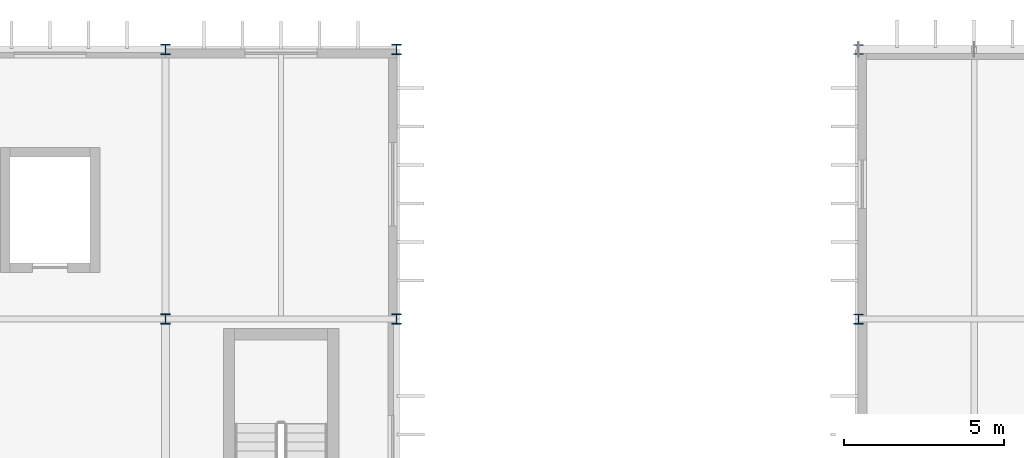
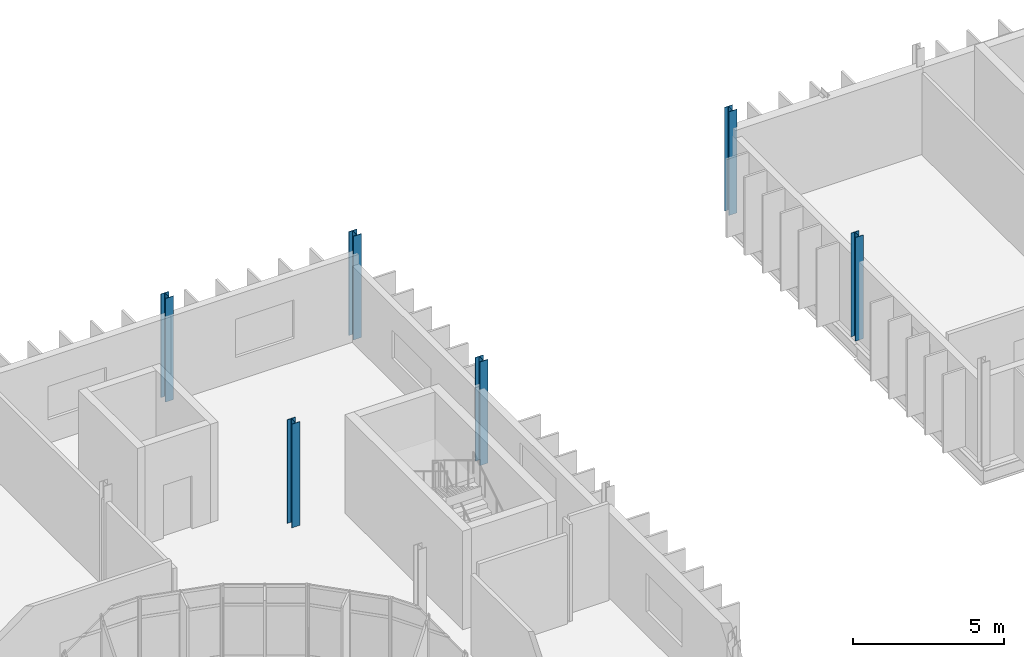
# One storey, part 9 of 61: 6 columns.
"""IFC4 building model written with IfcOpenShell, lengths in metres."""

from ifc_helpers import new_model, si_unit, direction, frame, origin, origin_2d, place, context, subcontext, project, spatial, i_section, extrude, material, material_profile, profile_set, type_object, element, save


model = new_model("IFC4")

# Units and contexts
model_context = context("Model", 3, precision=1e-05, world=origin(), true_north=direction((0.0, 1.0)))
body_context = subcontext(model_context, "Body", "Model", "MODEL_VIEW")
ifc_project = project(units=[si_unit("LENGTHUNIT", "METRE"), si_unit("AREAUNIT", "SQUARE_METRE"), si_unit("VOLUMEUNIT", "CUBIC_METRE"), si_unit("PLANEANGLEUNIT", "RADIAN"), si_unit("MASSUNIT", "GRAM", prefix="KILO")], contexts=[model_context])

# Site, building, storey
site_placement = place(None, origin())
site = spatial("IfcSite", under=ifc_project, at=site_placement, CompositionType="ELEMENT")
building_placement = place(site_placement, origin())
building = spatial("IfcBuilding", under=site, at=building_placement, Name="Qelthora Terrace Specialist Clinic", CompositionType="ELEMENT")
storey_placement = place(building_placement, frame((0.0, 0.0, 13.199951171875)))
storey = spatial("IfcBuildingStorey", under=building, at=storey_placement, Name="L03", CompositionType="ELEMENT", Elevation=13.199951171875)

# Columns
ifc_material = material(Name="Steel S355", Category="steel")
ifc_material_profile_1 = material_profile(ifc_material, i_section(OverallWidth=0.305908203125, OverallDepth=0.31103515625, WebThickness=0.010986328125, FlangeThickness=0.01708984375, FilletRadius=0.014892578125, at=origin_2d()), Name="W310X107")
ifc_profile_set_1 = profile_set([ifc_material_profile_1], Name="Steel S355")
column_type_1 = type_object("IfcColumnType", Name="COL-W310X107", PredefinedType="COLUMN", material=ifc_profile_set_1)
column_1_placement = place(storey_placement, frame((57.60009765625, 100.800048828125, 0.0), z_axis=(0.0, 0.0, 1.0), x_axis=(1.0, 0.0, 0.0)))
element("IfcColumn", 1, at=column_1_placement, inside=storey, type_object=column_type_1, Name="Column L03-112", PredefinedType="COLUMN", context=body_context, shape_type="SweptSolid", body=[
    extrude(i_section(OverallWidth=0.305908203125, OverallDepth=0.31103515625, WebThickness=0.010986328125, FlangeThickness=0.01708984375, FilletRadius=0.014892578125, at=origin_2d()), origin(), (0.0, 0.0, 1.0), 4.199951171875),
])
ifc_material_profile_2 = material_profile(ifc_material, i_section(OverallWidth=0.30810546875, OverallDepth=0.318115234375, WebThickness=0.01318359375, FlangeThickness=0.0205078125, FilletRadius=0.01611328125, at=origin_2d()), Name="W310X129")
ifc_profile_set_2 = profile_set([ifc_material_profile_2], Name="Steel S355")
column_type_2 = type_object("IfcColumnType", Name="COL-W310X129", PredefinedType="COLUMN", material=ifc_profile_set_2)
for number, where, z_axis, x_axis, name in (
    (2, (36.0, 100.800048828125, 0.0), (0.0, 0.0, 1.0), (1.0, 0.0, 0.0), "Column L03-077"),
    (3, (43.199951171875, 100.800048828125, 0.0), (0.0, 0.0, 1.0), (1.0, 0.0, 0.0), "Column L03-091"),
):
    element("IfcColumn", number, at=place(storey_placement, frame(where, z_axis=z_axis, x_axis=x_axis)), inside=storey, type_object=column_type_2, Name=name, PredefinedType="COLUMN", context=body_context, shape_type="SweptSolid", body=[
        extrude(i_section(OverallWidth=0.30810546875, OverallDepth=0.318115234375, WebThickness=0.01318359375, FlangeThickness=0.0205078125, FilletRadius=0.01611328125, at=origin_2d()), origin(), (0.0, 0.0, 1.0), 4.199951171875),
    ])
ifc_material_profile_3 = material_profile(ifc_material, i_section(OverallWidth=0.30908203125, OverallDepth=0.322998046875, WebThickness=0.013916015625, FlangeThickness=0.02294921875, FilletRadius=0.01611328125, at=origin_2d()), Name="W310X143")
ifc_profile_set_3 = profile_set([ifc_material_profile_3], Name="Steel S355")
column_type_3 = type_object("IfcColumnType", Name="COL-W310X143", PredefinedType="COLUMN", material=ifc_profile_set_3)
for number, where, z_axis, x_axis, name in (
    (4, (36.0, 109.199951171875, 0.0), (0.0, 0.0, 1.0), (1.0, 0.0, 0.0), "Column L03-078"),
    (5, (43.199951171875, 109.199951171875, 0.0), (0.0, 0.0, 1.0), (1.0, 0.0, 0.0), "Column L03-092"),
):
    element("IfcColumn", number, at=place(storey_placement, frame(where, z_axis=z_axis, x_axis=x_axis)), inside=storey, type_object=column_type_3, Name=name, PredefinedType="COLUMN", context=body_context, shape_type="SweptSolid", body=[
        extrude(i_section(OverallWidth=0.30908203125, OverallDepth=0.322998046875, WebThickness=0.013916015625, FlangeThickness=0.02294921875, FilletRadius=0.01611328125, at=origin_2d()), origin(), (0.0, 0.0, 1.0), 4.199951171875),
    ])
ifc_material_profile_4 = material_profile(ifc_material, i_section(OverallWidth=0.304931640625, OverallDepth=0.30810546875, WebThickness=0.010009765625, FlangeThickness=0.015380859375, FilletRadius=0.014892578125, at=origin_2d()), Name="W310X97")
ifc_profile_set_4 = profile_set([ifc_material_profile_4], Name="Steel S355")
column_type_4 = type_object("IfcColumnType", Name="COL-W310X97", PredefinedType="COLUMN", material=ifc_profile_set_4)
column_2_placement = place(storey_placement, frame((57.60009765625, 109.199951171875, 0.0), z_axis=(0.0, 0.0, 1.0), x_axis=(1.0, 0.0, 0.0)))
element("IfcColumn", 6, at=column_2_placement, inside=storey, type_object=column_type_4, Name="Column L03-113", PredefinedType="COLUMN", context=body_context, shape_type="SweptSolid", body=[
    extrude(i_section(OverallWidth=0.304931640625, OverallDepth=0.30810546875, WebThickness=0.010009765625, FlangeThickness=0.015380859375, FilletRadius=0.014892578125, at=origin_2d()), origin(), (0.0, 0.0, 1.0), 4.199951171875),
])

save(model, "model.ifc")
